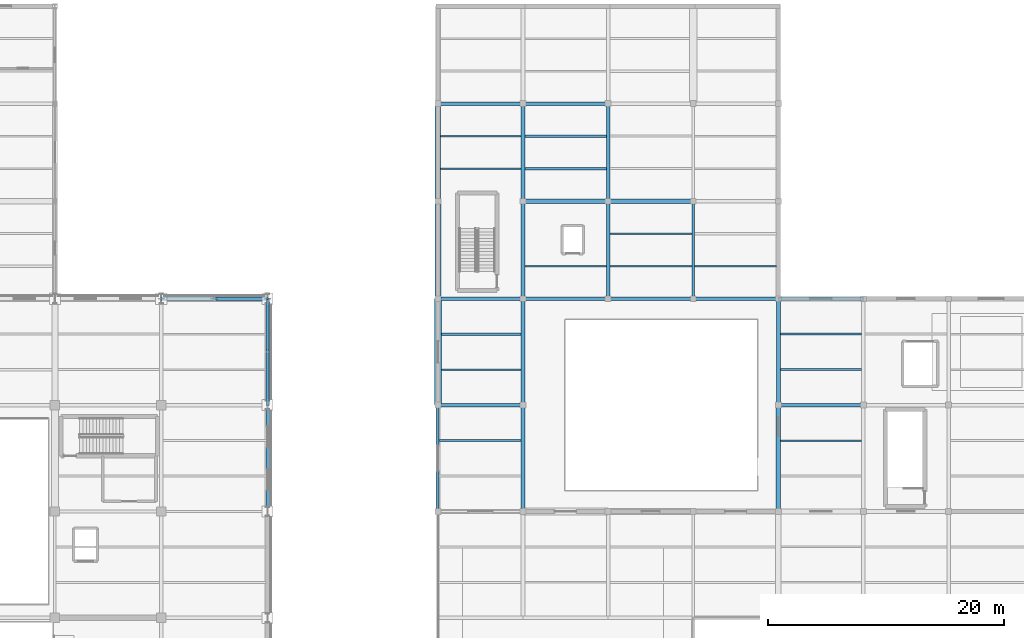
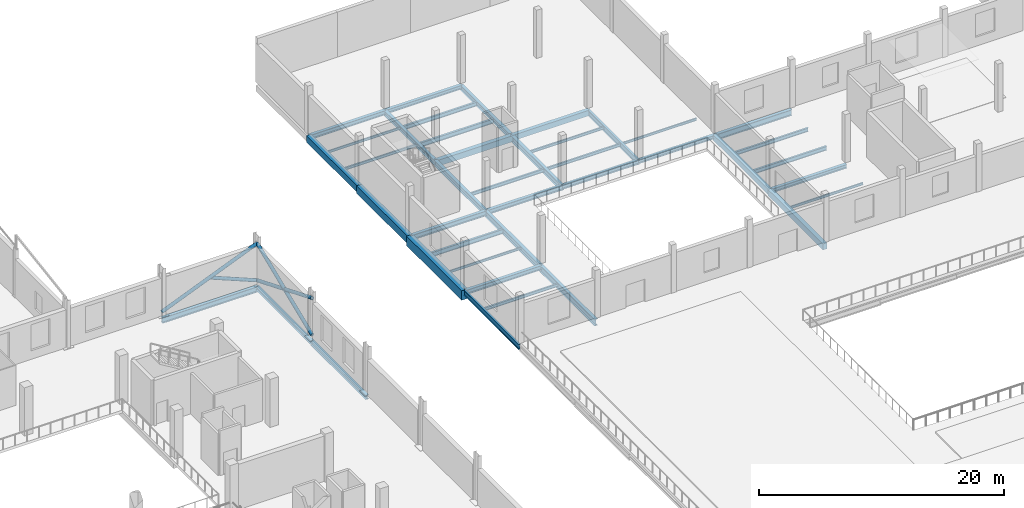
# One storey, part 17 of 54: 41 beams, 5 members.
"""IFC4 building model written with IfcOpenShell, lengths in metres."""

import ifcopenshell
import ifcopenshell.guid

model = None  # the IFC model being written
_history = None  # IfcOwnerHistory: only IFC2X3 demands one
_inside = {}  # id of a spatial element -> (the spatial element, [elements in it])
_under = {}  # id of a project, library or spatial element -> (it, [spatial elements below it])
_declared = {}  # id of a project -> (the project, [libraries it declares])
_typed = {}  # id of a type object -> (the type object, [elements of that type])
_made_of = {}  # id of a material, layer set ... -> (it, [elements and type objects made of it])


def new_model(schema):
    """Start an empty IFC model of exactly this schema.

    Asked for "IFC4X3", IfcOpenShell would pick the latest addendum, in which some entities
    have other attributes; the version numbers below select the first issue.
    IFC2X3 requires an IfcOwnerHistory on every rooted entity: one is made here for all.
    """
    global model, _history
    if schema == "IFC4X3":
        model = ifcopenshell.file(schema_version=(4, 3, 0, 0))
    else:
        model = ifcopenshell.file(schema=schema)
    _inside.clear()
    _under.clear()
    _declared.clear()
    _typed.clear()
    _made_of.clear()
    _history = None
    if model.schema == "IFC2X3":
        org = make("IfcOrganization", Name="unknown")
        user = make(
            "IfcPersonAndOrganization",
            ThePerson=make("IfcPerson", FamilyName="unknown"),
            TheOrganization=org,
        )
        app = make(
            "IfcApplication",
            ApplicationDeveloper=org,
            Version="unknown",
            ApplicationFullName="unknown",
            ApplicationIdentifier="unknown",
        )
        _history = make(
            "IfcOwnerHistory",
            OwningUser=user,
            OwningApplication=app,
            ChangeAction="ADDED",
            CreationDate=0,
        )
    return model


def make(cls, **values):
    """One entity of the class cls with the attributes given. An attribute that is None is left unset."""
    return model.create_entity(
        cls, **{name: value for name, value in values.items() if value is not None}
    )


def rooted(cls, **values):
    """An entity with a GlobalId (a new one), such as an element, a storey or a relation."""
    return make(cls, GlobalId=ifcopenshell.guid.new(), OwnerHistory=_history, **values)


def si_unit(unit_type, name, prefix=None):
    """IfcSIUnit, for example si_unit("LENGTHUNIT", "METRE", prefix="MILLI")."""
    return make("IfcSIUnit", UnitType=unit_type, Prefix=prefix, Name=name)


def assignment(units):
    """IfcUnitAssignment: the units of a project."""
    return None if units is None else make("IfcUnitAssignment", Units=units)


def point(xyz):
    """IfcCartesianPoint."""
    return None if xyz is None else make("IfcCartesianPoint", Coordinates=xyz)


def direction(xyz):
    """IfcDirection."""
    return None if xyz is None else make("IfcDirection", DirectionRatios=xyz)


def frame(location, z_axis=None, x_axis=None):
    """IfcAxis2Placement3D, a coordinate frame: its origin and axes. An axis left out is left unset."""
    return make(
        "IfcAxis2Placement3D",
        Location=point(location),
        Axis=direction(z_axis),
        RefDirection=direction(x_axis),
    )


def frame_2d(location, x_axis=None):
    """IfcAxis2Placement2D, a coordinate frame in the plane: its origin and x axis."""
    return make(
        "IfcAxis2Placement2D", Location=point(location), RefDirection=direction(x_axis)
    )


def origin():
    """The frame at (0, 0, 0) with its axes left unset."""
    return frame((0.0, 0.0, 0.0))


def origin_2d():
    """The frame at (0, 0) in the plane with its x axis left unset."""
    return frame_2d((0.0, 0.0))


def place(relative_to, where):
    """IfcLocalPlacement: puts the frame where relative to a parent placement (None: the world)."""
    return make(
        "IfcLocalPlacement", PlacementRelTo=relative_to, RelativePlacement=where
    )


def context(
    kind, dimensions, precision=None, world=None, true_north=None, identifier=None
):
    """IfcGeometricRepresentationContext, for example the 3D "Model" context."""
    return make(
        "IfcGeometricRepresentationContext",
        ContextIdentifier=identifier,
        ContextType=kind,
        CoordinateSpaceDimension=dimensions,
        Precision=precision,
        WorldCoordinateSystem=world,
        TrueNorth=true_north,
    )


def subcontext(parent, identifier, kind, view, scale=None):
    """IfcGeometricRepresentationSubContext, for example "Body" below "Model"."""
    return make(
        "IfcGeometricRepresentationSubContext",
        ContextIdentifier=identifier,
        ContextType=kind,
        ParentContext=parent,
        TargetScale=scale,
        TargetView=view,
    )


def project(units=None, contexts=None):
    """IfcProject with its units and contexts."""
    return rooted(
        "IfcProject",
        Name="project",
        RepresentationContexts=contexts,
        UnitsInContext=assignment(units),
    )


def spatial(cls, under=None, at=None, **own):
    """A site, building, storey or space (cls), placed at a placement, below another one or the project."""
    s = rooted(cls, ObjectPlacement=at, **own)
    if under is not None:
        _under.setdefault(under.id(), (under, []))[1].append(s)
    return s


def profile(cls, at=None, kind="AREA", **sizes):
    """A parametric profile (cls). Its sizes go by their IFC names, for example OverallWidth=200.0."""
    return make(cls, ProfileType=kind, Position=at, **sizes)


def rectangle(**sizes):
    """IfcRectangleProfileDef."""
    return profile("IfcRectangleProfileDef", **sizes)


def hollow_circle(**sizes):
    """IfcCircleHollowProfileDef."""
    return profile("IfcCircleHollowProfileDef", **sizes)


def i_section(**sizes):
    """IfcIShapeProfileDef."""
    return profile("IfcIShapeProfileDef", **sizes)


def extrude(swept, where, along, depth):
    """IfcExtrudedAreaSolid: the profile swept, set in the frame where, extruded along a direction by depth."""
    return make(
        "IfcExtrudedAreaSolid",
        SweptArea=swept,
        Position=where,
        ExtrudedDirection=direction(along),
        Depth=depth,
    )


def shape(context_of_items, identifier, shape_type, items):
    """IfcShapeRepresentation: the items that make up one representation, for example the "Body"."""
    return make(
        "IfcShapeRepresentation",
        ContextOfItems=context_of_items,
        RepresentationIdentifier=identifier,
        RepresentationType=shape_type,
        Items=items,
    )


def material(Name=None, Category=None):
    """IfcMaterial."""
    return make("IfcMaterial", Name=Name, Category=Category)


def material_profile(
    of_material, cross_section, Name=None, Category=None, Priority=None
):
    """IfcMaterialProfile: a cross section and its material."""
    return make(
        "IfcMaterialProfile",
        Name=Name,
        Material=of_material,
        Profile=cross_section,
        Priority=Priority,
        Category=Category,
    )


def profile_set(profiles, Name=None, composite=None):
    """IfcMaterialProfileSet."""
    return make(
        "IfcMaterialProfileSet",
        Name=Name,
        MaterialProfiles=profiles,
        CompositeProfile=composite,
    )


def made_of(thing, what):
    """Note that an element or type object is made of a material, layer set ...; save() writes the relation."""
    if what is not None:
        _made_of.setdefault(what.id(), (what, []))[1].append(thing)
    return thing


def type_object(cls, material=None, **own):
    """A type object (cls), such as IfcWallType, which elements share."""
    return made_of(rooted(cls, **own), material)


def element(
    cls,
    number,
    at=None,
    inside=None,
    cuts=None,
    type_object=None,
    material=None,
    context=None,
    identifier="Body",
    shape_type=None,
    held_by="IfcProductDefinitionShape",
    body=None,
    shapes=None,
    **own,
):
    """One element of the class cls, such as IfcWall. Its Tag is "e" and its number.

    at: its placement. inside: the storey or other place that contains it. cuts: it is an
    opening in that element (IfcRelVoidsElement). A single representation is given by context,
    identifier, shape_type and body (its items); several are given by shapes. held_by: the class
    of the entity that holds the representations. save() writes the other relations.
    """
    e = rooted(cls, Tag="e%d" % number, ObjectPlacement=at, **own)
    if body is not None:
        shapes = [shape(context, identifier, shape_type, body)]
    if shapes is not None:
        e.Representation = make(held_by, Representations=shapes)
    if inside is not None:
        _inside.setdefault(inside.id(), (inside, []))[1].append(e)
    if cuts is not None:
        rooted(
            "IfcRelVoidsElement", RelatingBuildingElement=cuts, RelatedOpeningElement=e
        )
    if type_object is not None:
        _typed.setdefault(type_object.id(), (type_object, []))[1].append(e)
    return made_of(e, material)


def aggregate(whole, parts):
    """IfcRelAggregates: a whole, such as a stair, and the parts it consists of."""
    return rooted("IfcRelAggregates", RelatingObject=whole, RelatedObjects=parts)


def save(model, path):
    """Write the relations noted so far, then the file.

    IfcRelAggregates (storeys below a building ...), IfcRelContainedInSpatialStructure (elements
    in a storey), IfcRelDefinesByType, IfcRelAssociatesMaterial and IfcRelDeclares: one each for
    every whole, place, type object, material and project.
    """
    for whole, parts in _under.values():
        aggregate(whole, parts)
    for where, things in _inside.values():
        rooted(
            "IfcRelContainedInSpatialStructure",
            RelatedElements=things,
            RelatingStructure=where,
        )
    for kind, things in _typed.values():
        rooted("IfcRelDefinesByType", RelatedObjects=things, RelatingType=kind)
    for what, things in _made_of.values():
        rooted("IfcRelAssociatesMaterial", RelatedObjects=things, RelatingMaterial=what)
    for by, libraries in _declared.values():
        rooted("IfcRelDeclares", RelatingContext=by, RelatedDefinitions=libraries)
    model.write(path)


model = new_model("IFC4")

# Units and contexts
model_context = context("Model", 3, precision=1e-05, world=origin(), true_north=direction((0.0, 1.0)))
body_context = subcontext(model_context, "Body", "Model", "MODEL_VIEW")
ifc_project = project(units=[si_unit("LENGTHUNIT", "METRE"), si_unit("AREAUNIT", "SQUARE_METRE"), si_unit("VOLUMEUNIT", "CUBIC_METRE"), si_unit("PLANEANGLEUNIT", "RADIAN"), si_unit("MASSUNIT", "GRAM", prefix="KILO")], contexts=[model_context])

# Site, building, storey
site_placement = place(None, origin())
site = spatial("IfcSite", under=ifc_project, at=site_placement, CompositionType="ELEMENT")
building_placement = place(site_placement, origin())
building = spatial("IfcBuilding", under=site, at=building_placement, Name="Sundgate Opera House", CompositionType="ELEMENT")
storey_placement = place(building_placement, frame((0.0, 0.0, 16.800048828125)))
storey = spatial("IfcBuildingStorey", under=building, at=storey_placement, Name="L03", CompositionType="ELEMENT", Elevation=16.800048828125)

# Beams
ifc_material_1 = material(Name="Steel S355J2", Category="steel")
ifc_material_profile_1 = material_profile(ifc_material_1, i_section(OverallWidth=0.300048828125, OverallDepth=0.389892578125, WebThickness=0.010986328125, FlangeThickness=0.01904296875, at=origin_2d()), Name="HEA 400")
ifc_profile_set_1 = profile_set([ifc_material_profile_1], Name="Steel S355J2")
beam_type_1 = type_object("IfcBeamType", Name="BM-GR-HEA400", PredefinedType="BEAM", material=ifc_profile_set_1)
beam_1_placement = place(storey_placement, frame((81.0, 78.0, -0.47509765625), z_axis=(0.0, 1.0, 0.0), x_axis=(-1.0, 0.0, 0.0)))
element("IfcBeam", 1, at=beam_1_placement, inside=storey, type_object=beam_type_1, Name="L03 Primary N-S Girder B2510", PredefinedType="BEAM", context=body_context, shape_type="SweptSolid", body=[
    extrude(i_section(OverallWidth=0.300048828125, OverallDepth=0.389892578125, WebThickness=0.010986328125, FlangeThickness=0.01904296875, at=origin_2d()), origin(), (0.0, 0.0, 1.0), 9.0),
])
for number, where, z_axis, x_axis, name in (
    (2, (124.199951171875, 78.0, -0.47509765625), (1.0, 0.0, 0.0), (0.0, 1.0, 0.0), "L03 Primary E-W Girder B2642"),
    (3, (102.60009765625, 103.5, -0.47509765625), (1.0, 0.0, 0.0), (0.0, 1.0, 0.0), "L03 Primary E-W Girder B2686"),
):
    element("IfcBeam", number, at=place(storey_placement, frame(where, z_axis=z_axis, x_axis=x_axis)), inside=storey, type_object=beam_type_1, Name=name, PredefinedType="BEAM", context=body_context, shape_type="SweptSolid", body=[
        extrude(i_section(OverallWidth=0.300048828125, OverallDepth=0.389892578125, WebThickness=0.010986328125, FlangeThickness=0.01904296875, at=origin_2d()), origin(), (0.0, 0.0, 1.0), 7.199951171875),
    ])
ifc_material_2 = material(Name="Steel S355J2", Category="steel")
ifc_material_profile_2 = material_profile(ifc_material_2, i_section(OverallWidth=0.300048828125, OverallDepth=0.43994140625, WebThickness=0.011474609375, FlangeThickness=0.02099609375, at=origin_2d()), Name="HEA 450")
ifc_profile_set_2 = profile_set([ifc_material_profile_2], Name="Steel S355J2")
beam_type_2 = type_object("IfcBeamType", Name="BM-GR-HEA450", PredefinedType="BEAM", material=ifc_profile_set_2)
beam_2_placement = place(storey_placement, frame((81.0, 69.0, -0.5), z_axis=(0.0, 1.0, 0.0), x_axis=(-1.0, 0.0, 0.0)))
element("IfcBeam", 4, at=beam_2_placement, inside=storey, type_object=beam_type_2, Name="L03 Primary N-S Girder B2509", PredefinedType="BEAM", context=body_context, shape_type="SweptSolid", body=[
    extrude(i_section(OverallWidth=0.300048828125, OverallDepth=0.43994140625, WebThickness=0.011474609375, FlangeThickness=0.02099609375, at=origin_2d()), origin(), (0.0, 0.0, 1.0), 9.0),
])
for number, where, z_axis, x_axis, name in (
    (5, (95.39990234375, 78.0, -0.5), (1.0, 0.0, 0.0), (0.0, 1.0, 0.0), "L03 Primary E-W Girder B2641"),
    (6, (95.39990234375, 103.5, -0.5), (1.0, 0.0, 0.0), (0.0, 1.0, 0.0), "L03 Primary E-W Girder B2685"),
):
    element("IfcBeam", number, at=place(storey_placement, frame(where, z_axis=z_axis, x_axis=x_axis)), inside=storey, type_object=beam_type_2, Name=name, PredefinedType="BEAM", context=body_context, shape_type="SweptSolid", body=[
        extrude(i_section(OverallWidth=0.300048828125, OverallDepth=0.43994140625, WebThickness=0.011474609375, FlangeThickness=0.02099609375, at=origin_2d()), origin(), (0.0, 0.0, 1.0), 7.2001953125),
    ])
ifc_material_3 = material(Name="Steel S355J2", Category="steel")
ifc_material_profile_3 = material_profile(ifc_material_3, i_section(OverallWidth=0.300048828125, OverallDepth=0.489990234375, WebThickness=0.011962890625, FlangeThickness=0.02294921875, at=origin_2d()), Name="HEA 500")
ifc_profile_set_3 = profile_set([ifc_material_profile_3], Name="Steel S355J2")
beam_type_3 = type_object("IfcBeamType", Name="BM-GR-HEA500", PredefinedType="BEAM", material=ifc_profile_set_3)
beam_3_placement = place(storey_placement, frame((109.800048828125, 95.25, -0.525146484375), z_axis=(0.0, 1.0, 0.0), x_axis=(-1.0, 0.0, 0.0)))
element("IfcBeam", 7, at=beam_3_placement, inside=storey, type_object=beam_type_3, Name="L03 Primary N-S Girder B2530", PredefinedType="BEAM", context=body_context, shape_type="SweptSolid", body=[
    extrude(i_section(OverallWidth=0.300048828125, OverallDepth=0.489990234375, WebThickness=0.011962890625, FlangeThickness=0.02294921875, at=origin_2d()), origin(), (0.0, 0.0, 1.0), 8.25),
])
ifc_material_4 = material(Name="Steel S355J2", Category="steel")
ifc_material_profile_4 = material_profile(ifc_material_4, i_section(OverallWidth=0.300048828125, OverallDepth=0.590087890625, WebThickness=0.012939453125, FlangeThickness=0.02490234375, at=origin_2d()), Name="HEA 600")
ifc_profile_set_4 = profile_set([ifc_material_profile_4], Name="Steel S355J2")
beam_type_4 = type_object("IfcBeamType", Name="BM-GR-HEA600", PredefinedType="BEAM", material=ifc_profile_set_4)
beam_4_placement = place(storey_placement, frame((109.800048828125, 87.0, -0.574951171875), z_axis=(0.0, 1.0, 0.0), x_axis=(-1.0, 0.0, 0.0)))
element("IfcBeam", 8, at=beam_4_placement, inside=storey, type_object=beam_type_4, Name="L03 Primary N-S Girder B2529", PredefinedType="BEAM", context=body_context, shape_type="SweptSolid", body=[
    extrude(i_section(OverallWidth=0.300048828125, OverallDepth=0.590087890625, WebThickness=0.012939453125, FlangeThickness=0.02490234375, at=origin_2d()), origin(), (0.0, 0.0, 1.0), 8.25),
])
beam_5_placement = place(storey_placement, frame((124.199951171875, 87.0, -0.574951171875), z_axis=(1.0, 0.0, 0.0), x_axis=(0.0, 1.0, 0.0)))
element("IfcBeam", 9, at=beam_5_placement, inside=storey, type_object=beam_type_4, Name="L03 Primary E-W Girder B2661", PredefinedType="BEAM", context=body_context, shape_type="SweptSolid", body=[
    extrude(i_section(OverallWidth=0.300048828125, OverallDepth=0.590087890625, WebThickness=0.012939453125, FlangeThickness=0.02490234375, at=origin_2d()), origin(), (0.0, 0.0, 1.0), 7.199951171875),
])
ifc_material_5 = material(Name="Steel S355J2", Category="steel")
ifc_material_profile_5 = material_profile(ifc_material_5, i_section(OverallWidth=0.300048828125, OverallDepth=0.360107421875, WebThickness=0.012451171875, FlangeThickness=0.0224609375, at=origin_2d()), Name="HEB 360")
ifc_profile_set_5 = profile_set([ifc_material_profile_5], Name="Steel S355J2")
beam_type_5 = type_object("IfcBeamType", Name="BM-GR-HEB360", PredefinedType="BEAM", material=ifc_profile_set_5)
beam_6_placement = place(storey_placement, frame((117.0, 87.0, -0.4599609375), z_axis=(1.0, 0.0, 0.0), x_axis=(0.0, 1.0, 0.0)))
element("IfcBeam", 10, at=beam_6_placement, inside=storey, type_object=beam_type_5, Name="L03 Primary E-W Girder B2660", PredefinedType="BEAM", context=body_context, shape_type="SweptSolid", body=[
    extrude(i_section(OverallWidth=0.300048828125, OverallDepth=0.360107421875, WebThickness=0.012451171875, FlangeThickness=0.0224609375, at=origin_2d()), origin(), (0.0, 0.0, 1.0), 7.199951171875),
])
ifc_material_6 = material(Name="Steel S355J2", Category="steel")
ifc_material_profile_6 = material_profile(ifc_material_6, i_section(OverallWidth=0.300048828125, OverallDepth=0.39990234375, WebThickness=0.013427734375, FlangeThickness=0.02392578125, at=origin_2d()), Name="HEB 400")
ifc_profile_set_6 = profile_set([ifc_material_profile_6], Name="Steel S355J2")
beam_type_6 = type_object("IfcBeamType", Name="BM-GR-HEB400", PredefinedType="BEAM", material=ifc_profile_set_6)
beam_7_placement = place(storey_placement, frame((109.800048828125, 87.0, -0.47998046875), z_axis=(1.0, 0.0, 0.0), x_axis=(0.0, 1.0, 0.0)))
element("IfcBeam", 11, at=beam_7_placement, inside=storey, type_object=beam_type_6, Name="L03 Primary E-W Girder B2659", PredefinedType="BEAM", context=body_context, shape_type="SweptSolid", body=[
    extrude(i_section(OverallWidth=0.300048828125, OverallDepth=0.39990234375, WebThickness=0.013427734375, FlangeThickness=0.02392578125, at=origin_2d()), origin(), (0.0, 0.0, 1.0), 7.199951171875),
])
ifc_material_7 = material(Name="Steel S355J2", Category="steel")
ifc_material_profile_7 = material_profile(ifc_material_7, i_section(OverallWidth=0.300048828125, OverallDepth=0.449951171875, WebThickness=0.013916015625, FlangeThickness=0.02587890625, at=origin_2d()), Name="HEB 450")
ifc_profile_set_7 = profile_set([ifc_material_profile_7], Name="Steel S355J2")
beam_type_7 = type_object("IfcBeamType", Name="BM-GR-HEB450", PredefinedType="BEAM", material=ifc_profile_set_7)
beam_8_placement = place(storey_placement, frame((102.60009765625, 87.0, -0.505126953125), z_axis=(1.0, 0.0, 0.0), x_axis=(0.0, 1.0, 0.0)))
element("IfcBeam", 12, at=beam_8_placement, inside=storey, type_object=beam_type_7, Name="L03 Primary E-W Girder B2658", PredefinedType="BEAM", context=body_context, shape_type="SweptSolid", body=[
    extrude(i_section(OverallWidth=0.300048828125, OverallDepth=0.449951171875, WebThickness=0.013916015625, FlangeThickness=0.02587890625, at=origin_2d()), origin(), (0.0, 0.0, 1.0), 7.199951171875),
])
ifc_material_8 = material(Name="Steel S355J2", Category="steel")
ifc_material_profile_8 = material_profile(ifc_material_8, i_section(OverallWidth=0.300048828125, OverallDepth=0.5, WebThickness=0.014404296875, FlangeThickness=0.028076171875, at=origin_2d()), Name="HEB 500")
ifc_profile_set_8 = profile_set([ifc_material_profile_8], Name="Steel S355J2")
beam_type_8 = type_object("IfcBeamType", Name="BM-GR-HEB500", PredefinedType="BEAM", material=ifc_profile_set_8)
beam_9_placement = place(storey_placement, frame((102.60009765625, 95.25, -0.530029296875), z_axis=(0.0, 1.0, 0.0), x_axis=(-1.0, 0.0, 0.0)))
element("IfcBeam", 13, at=beam_9_placement, inside=storey, type_object=beam_type_8, Name="L03 Primary N-S Girder B2525", PredefinedType="BEAM", context=body_context, shape_type="SweptSolid", body=[
    extrude(i_section(OverallWidth=0.300048828125, OverallDepth=0.5, WebThickness=0.014404296875, FlangeThickness=0.028076171875, at=origin_2d()), origin(), (0.0, 0.0, 1.0), 8.25),
])
beam_10_placement = place(storey_placement, frame((95.39990234375, 87.0, -0.530029296875), z_axis=(1.0, 0.0, 0.0), x_axis=(0.0, 1.0, 0.0)))
element("IfcBeam", 14, at=beam_10_placement, inside=storey, type_object=beam_type_8, Name="L03 Primary E-W Girder B2657", PredefinedType="BEAM", context=body_context, shape_type="SweptSolid", body=[
    extrude(i_section(OverallWidth=0.300048828125, OverallDepth=0.5, WebThickness=0.014404296875, FlangeThickness=0.028076171875, at=origin_2d()), origin(), (0.0, 0.0, 1.0), 7.2001953125),
])
ifc_material_9 = material(Name="Steel S355J2", Category="steel")
ifc_material_profile_9 = material_profile(ifc_material_9, i_section(OverallWidth=0.300048828125, OverallDepth=0.550048828125, WebThickness=0.014892578125, FlangeThickness=0.029052734375, at=origin_2d()), Name="HEB 550")
ifc_profile_set_9 = profile_set([ifc_material_profile_9], Name="Steel S355J2")
beam_type_9 = type_object("IfcBeamType", Name="BM-GR-HEB550", PredefinedType="BEAM", material=ifc_profile_set_9)
beam_11_placement = place(storey_placement, frame((102.60009765625, 87.0, -0.554931640625), z_axis=(0.0, 1.0, 0.0), x_axis=(-1.0, 0.0, 0.0)))
element("IfcBeam", 15, at=beam_11_placement, inside=storey, type_object=beam_type_9, Name="L03 Primary N-S Girder B2524", PredefinedType="BEAM", context=body_context, shape_type="SweptSolid", body=[
    extrude(i_section(OverallWidth=0.300048828125, OverallDepth=0.550048828125, WebThickness=0.014892578125, FlangeThickness=0.029052734375, at=origin_2d()), origin(), (0.0, 0.0, 1.0), 8.25),
])
beam_12_placement = place(storey_placement, frame((72.0, 87.0, -0.554931640625), z_axis=(1.0, 0.0, 0.0), x_axis=(0.0, 1.0, 0.0)))
element("IfcBeam", 16, at=beam_12_placement, inside=storey, type_object=beam_type_9, Name="L03 Primary E-W Girder B2656", PredefinedType="BEAM", context=body_context, shape_type="SweptSolid", body=[
    extrude(i_section(OverallWidth=0.300048828125, OverallDepth=0.550048828125, WebThickness=0.014892578125, FlangeThickness=0.029052734375, at=origin_2d()), origin(), (0.0, 0.0, 1.0), 9.0),
])
ifc_material_10 = material(Name="Steel S355J2", Category="steel")
ifc_material_profile_10 = material_profile(ifc_material_10, i_section(OverallWidth=0.300048828125, OverallDepth=0.60009765625, WebThickness=0.015380859375, FlangeThickness=0.030029296875, at=origin_2d()), Name="HEB 600")
ifc_profile_set_10 = profile_set([ifc_material_profile_10], Name="Steel S355J2")
beam_type_10 = type_object("IfcBeamType", Name="BM-GR-HEB600", PredefinedType="BEAM", material=ifc_profile_set_10)
beam_13_placement = place(storey_placement, frame((102.60009765625, 78.0, -0.580078125), z_axis=(0.0, 1.0, 0.0), x_axis=(-1.0, 0.0, 0.0)))
element("IfcBeam", 17, at=beam_13_placement, inside=storey, type_object=beam_type_10, Name="L03 Primary N-S Girder B2523", PredefinedType="BEAM", context=body_context, shape_type="SweptSolid", body=[
    extrude(i_section(OverallWidth=0.300048828125, OverallDepth=0.60009765625, WebThickness=0.015380859375, FlangeThickness=0.030029296875, at=origin_2d()), origin(), (0.0, 0.0, 1.0), 9.0),
])
ifc_material_11 = material(Name="Steel S355J2", Category="steel")
ifc_material_profile_11 = material_profile(ifc_material_11, i_section(OverallWidth=0.300048828125, OverallDepth=0.64990234375, WebThickness=0.01611328125, FlangeThickness=0.031005859375, at=origin_2d()), Name="HEB 650")
ifc_profile_set_11 = profile_set([ifc_material_profile_11], Name="Steel S355J2")
beam_type_11 = type_object("IfcBeamType", Name="BM-GR-HEB650", PredefinedType="BEAM", material=ifc_profile_set_11)
beam_14_placement = place(storey_placement, frame((102.60009765625, 69.0, -0.60498046875), z_axis=(0.0, 1.0, 0.0), x_axis=(-1.0, 0.0, 0.0)))
element("IfcBeam", 18, at=beam_14_placement, inside=storey, type_object=beam_type_11, Name="L03 Primary N-S Girder B2522", PredefinedType="BEAM", context=body_context, shape_type="SweptSolid", body=[
    extrude(i_section(OverallWidth=0.300048828125, OverallDepth=0.64990234375, WebThickness=0.01611328125, FlangeThickness=0.031005859375, at=origin_2d()), origin(), (0.0, 0.0, 1.0), 9.0),
])
ifc_material_12 = material(Name="Steel S355J2", Category="steel")
ifc_material_profile_12 = material_profile(ifc_material_12, i_section(OverallWidth=0.199951171875, OverallDepth=0.5, WebThickness=0.01025390625, FlangeThickness=0.01611328125, at=origin_2d()), Name="IPE 500")
ifc_profile_set_12 = profile_set([ifc_material_profile_12], Name="Steel S355J2")
beam_type_12 = type_object("IfcBeamType", Name="BM-GR-IPE500", PredefinedType="BEAM", material=ifc_profile_set_12)
beam_15_placement = place(storey_placement, frame((95.39990234375, 69.0, -0.530029296875), z_axis=(0.0, 1.0, 0.0), x_axis=(-1.0, 0.0, 0.0)))
element("IfcBeam", 19, at=beam_15_placement, inside=storey, type_object=beam_type_12, Name="L03 Primary N-S Girder B2515", PredefinedType="BEAM", context=body_context, shape_type="SweptSolid", body=[
    extrude(i_section(OverallWidth=0.199951171875, OverallDepth=0.5, WebThickness=0.01025390625, FlangeThickness=0.01611328125, at=origin_2d()), origin(), (0.0, 0.0, 1.0), 9.0),
])
ifc_material_13 = material(Name="Steel S355J2", Category="steel")
ifc_material_profile_13 = material_profile(ifc_material_13, i_section(OverallWidth=0.2099609375, OverallDepth=0.550048828125, WebThickness=0.010986328125, FlangeThickness=0.01708984375, at=origin_2d()), Name="IPE 550")
ifc_profile_set_13 = profile_set([ifc_material_profile_13], Name="Steel S355J2")
beam_type_13 = type_object("IfcBeamType", Name="BM-GR-IPE550", PredefinedType="BEAM", material=ifc_profile_set_13)
beam_16_placement = place(storey_placement, frame((117.0, 87.0, -0.554931640625), z_axis=(0.0, 1.0, 0.0), x_axis=(-1.0, 0.0, 0.0)))
element("IfcBeam", 20, at=beam_16_placement, inside=storey, type_object=beam_type_13, Name="L03 Primary N-S Girder B2536", PredefinedType="BEAM", context=body_context, shape_type="SweptSolid", body=[
    extrude(i_section(OverallWidth=0.2099609375, OverallDepth=0.550048828125, WebThickness=0.010986328125, FlangeThickness=0.01708984375, at=origin_2d()), origin(), (0.0, 0.0, 1.0), 8.25),
])
ifc_material_14 = material(Name="Steel S355J2", Category="steel")
ifc_material_profile_14 = material_profile(ifc_material_14, i_section(OverallWidth=0.1201171875, OverallDepth=0.239990234375, WebThickness=0.006103515625, FlangeThickness=0.009765625, at=origin_2d()), Name="IPE 240")
ifc_profile_set_14 = profile_set([ifc_material_profile_14], Name="Steel S355J2")
beam_type_14 = type_object("IfcBeamType", Name="BM-JS-IPE240", PredefinedType="JOIST", material=ifc_profile_set_14)
beam_17_placement = place(storey_placement, frame((124.39990234375, 75.0, -0.400146484375), z_axis=(1.0, 0.0, 0.0), x_axis=(0.0, 1.0, 0.0)))
element("IfcBeam", 21, at=beam_17_placement, inside=storey, type_object=beam_type_14, Name="L03 Secondary Floor Joist B2775", PredefinedType="JOIST", context=body_context, shape_type="SweptSolid", body=[
    extrude(i_section(OverallWidth=0.1201171875, OverallDepth=0.239990234375, WebThickness=0.006103515625, FlangeThickness=0.009765625, at=origin_2d()), origin(), (0.0, 0.0, 1.0), 6.85009765625),
])
beam_18_placement = place(storey_placement, frame((95.699951171875, 81.0, -0.400146484375), z_axis=(1.0, 0.0, 0.0), x_axis=(0.0, 1.0, 0.0)))
element("IfcBeam", 22, at=beam_18_placement, inside=storey, type_object=beam_type_14, Name="L03 Secondary Floor Joist B2796", PredefinedType="JOIST", context=body_context, shape_type="SweptSolid", body=[
    extrude(i_section(OverallWidth=0.1201171875, OverallDepth=0.239990234375, WebThickness=0.006103515625, FlangeThickness=0.009765625, at=origin_2d()), origin(), (0.0, 0.0, 1.0), 6.75),
])
beam_19_placement = place(storey_placement, frame((117.10498046875, 89.75, -0.400146484375), z_axis=(1.0, 0.0, 0.0), x_axis=(0.0, 1.0, 0.0)))
element("IfcBeam", 23, at=beam_19_placement, inside=storey, type_object=beam_type_14, Name="L03 Secondary Floor Joist B2824", PredefinedType="JOIST", context=body_context, shape_type="SweptSolid", body=[
    extrude(i_section(OverallWidth=0.1201171875, OverallDepth=0.239990234375, WebThickness=0.006103515625, FlangeThickness=0.009765625, at=origin_2d()), origin(), (0.0, 0.0, 1.0), 6.945068359375),
])
beam_20_placement = place(storey_placement, frame((95.625, 100.75, -0.400146484375), z_axis=(1.0, 0.0, 0.0), x_axis=(0.0, 1.0, 0.0)))
element("IfcBeam", 24, at=beam_20_placement, inside=storey, type_object=beam_type_14, Name="L03 Secondary Floor Joist B2845", PredefinedType="JOIST", context=body_context, shape_type="SweptSolid", body=[
    extrude(i_section(OverallWidth=0.1201171875, OverallDepth=0.239990234375, WebThickness=0.006103515625, FlangeThickness=0.009765625, at=origin_2d()), origin(), (0.0, 0.0, 1.0), 6.824951171875),
])
ifc_material_15 = material(Name="Steel S355J2", Category="steel")
ifc_material_profile_15 = material_profile(ifc_material_15, i_section(OverallWidth=0.135009765625, OverallDepth=0.27001953125, WebThickness=0.006591796875, FlangeThickness=0.01025390625, at=origin_2d()), Name="IPE 270")
ifc_profile_set_15 = profile_set([ifc_material_profile_15], Name="Steel S355J2")
beam_type_15 = type_object("IfcBeamType", Name="BM-JS-IPE270", PredefinedType="JOIST", material=ifc_profile_set_15)
beam_21_placement = place(storey_placement, frame((109.949951171875, 92.5, -0.4150390625), z_axis=(1.0, 0.0, 0.0), x_axis=(0.0, 1.0, 0.0)))
element("IfcBeam", 25, at=beam_21_placement, inside=storey, type_object=beam_type_15, Name="L03 Secondary Floor Joist B2823", PredefinedType="JOIST", context=body_context, shape_type="SweptSolid", body=[
    extrude(i_section(OverallWidth=0.135009765625, OverallDepth=0.27001953125, WebThickness=0.006591796875, FlangeThickness=0.01025390625, at=origin_2d()), origin(), (0.0, 0.0, 1.0), 6.945068359375),
])
beam_22_placement = place(storey_placement, frame((95.625, 98.0, -0.4150390625), z_axis=(1.0, 0.0, 0.0), x_axis=(0.0, 1.0, 0.0)))
element("IfcBeam", 26, at=beam_22_placement, inside=storey, type_object=beam_type_15, Name="L03 Secondary Floor Joist B2844", PredefinedType="JOIST", context=body_context, shape_type="SweptSolid", body=[
    extrude(i_section(OverallWidth=0.135009765625, OverallDepth=0.27001953125, WebThickness=0.006591796875, FlangeThickness=0.01025390625, at=origin_2d()), origin(), (0.0, 0.0, 1.0), 6.824951171875),
])
ifc_material_16 = material(Name="Steel S355J2", Category="steel")
ifc_material_profile_16 = material_profile(ifc_material_16, i_section(OverallWidth=0.14990234375, OverallDepth=0.300048828125, WebThickness=0.007080078125, FlangeThickness=0.0107421875, at=origin_2d()), Name="IPE 300")
ifc_profile_set_16 = profile_set([ifc_material_profile_16], Name="Steel S355J2")
beam_type_16 = type_object("IfcBeamType", Name="BM-JS-IPE300", PredefinedType="JOIST", material=ifc_profile_set_16)
beam_23_placement = place(storey_placement, frame((95.5, 75.0, -0.429931640625), z_axis=(1.0, 0.0, 0.0), x_axis=(0.0, 1.0, 0.0)))
element("IfcBeam", 27, at=beam_23_placement, inside=storey, type_object=beam_type_16, Name="L03 Secondary Floor Joist B2773", PredefinedType="JOIST", context=body_context, shape_type="SweptSolid", body=[
    extrude(i_section(OverallWidth=0.14990234375, OverallDepth=0.300048828125, WebThickness=0.007080078125, FlangeThickness=0.0107421875, at=origin_2d()), origin(), (0.0, 0.0, 1.0), 6.949951171875),
])
beam_24_placement = place(storey_placement, frame((109.949951171875, 89.75, -0.429931640625), z_axis=(1.0, 0.0, 0.0), x_axis=(0.0, 1.0, 0.0)))
element("IfcBeam", 28, at=beam_24_placement, inside=storey, type_object=beam_type_16, Name="L03 Secondary Floor Joist B2822", PredefinedType="JOIST", context=body_context, shape_type="SweptSolid", body=[
    extrude(i_section(OverallWidth=0.14990234375, OverallDepth=0.300048828125, WebThickness=0.007080078125, FlangeThickness=0.0107421875, at=origin_2d()), origin(), (0.0, 0.0, 1.0), 6.945068359375),
])
ifc_material_17 = material(Name="Steel S355J2", Category="steel")
ifc_material_profile_17 = material_profile(ifc_material_17, i_section(OverallWidth=0.159912109375, OverallDepth=0.330078125, WebThickness=0.007568359375, FlangeThickness=0.011474609375, at=origin_2d()), Name="IPE 330")
ifc_profile_set_17 = profile_set([ifc_material_profile_17], Name="Steel S355J2")
beam_type_17 = type_object("IfcBeamType", Name="BM-JS-IPE330", PredefinedType="JOIST", material=ifc_profile_set_17)
beam_25_placement = place(storey_placement, frame((102.75, 89.75, -0.445068359375), z_axis=(1.0, 0.0, 0.0), x_axis=(0.0, 1.0, 0.0)))
element("IfcBeam", 29, at=beam_25_placement, inside=storey, type_object=beam_type_17, Name="L03 Secondary Floor Joist B2821", PredefinedType="JOIST", context=body_context, shape_type="SweptSolid", body=[
    extrude(i_section(OverallWidth=0.159912109375, OverallDepth=0.330078125, WebThickness=0.007568359375, FlangeThickness=0.011474609375, at=origin_2d()), origin(), (0.0, 0.0, 1.0), 6.89990234375),
])
ifc_material_18 = material(Name="Steel S355J2", Category="steel")
ifc_material_profile_18 = material_profile(ifc_material_18, i_section(OverallWidth=0.169921875, OverallDepth=0.360107421875, WebThickness=0.008056640625, FlangeThickness=0.0126953125, at=origin_2d()), Name="IPE 360")
ifc_profile_set_18 = profile_set([ifc_material_profile_18], Name="Steel S355J2")
beam_type_18 = type_object("IfcBeamType", Name="BM-JS-IPE360", PredefinedType="JOIST", material=ifc_profile_set_18)
beam_26_placement = place(storey_placement, frame((124.375, 84.0, -0.4599609375), z_axis=(1.0, 0.0, 0.0), x_axis=(0.0, 1.0, 0.0)))
element("IfcBeam", 30, at=beam_26_placement, inside=storey, type_object=beam_type_18, Name="L03 Secondary Floor Joist B2799", PredefinedType="JOIST", context=body_context, shape_type="SweptSolid", body=[
    extrude(i_section(OverallWidth=0.169921875, OverallDepth=0.360107421875, WebThickness=0.008056640625, FlangeThickness=0.0126953125, at=origin_2d()), origin(), (0.0, 0.0, 1.0), 6.875),
])
ifc_material_19 = material(Name="Steel S355J2", Category="steel")
ifc_material_profile_19 = material_profile(ifc_material_19, i_section(OverallWidth=0.179931640625, OverallDepth=0.39990234375, WebThickness=0.008544921875, FlangeThickness=0.013427734375, at=origin_2d()), Name="IPE 400")
ifc_profile_set_19 = profile_set([ifc_material_profile_19], Name="Steel S355J2")
beam_type_19 = type_object("IfcBeamType", Name="BM-JS-IPE400", PredefinedType="JOIST", material=ifc_profile_set_19)
beam_27_placement = place(storey_placement, frame((124.375, 81.0, -0.47998046875), z_axis=(1.0, 0.0, 0.0), x_axis=(0.0, 1.0, 0.0)))
element("IfcBeam", 31, at=beam_27_placement, inside=storey, type_object=beam_type_19, Name="L03 Secondary Floor Joist B2798", PredefinedType="JOIST", context=body_context, shape_type="SweptSolid", body=[
    extrude(i_section(OverallWidth=0.179931640625, OverallDepth=0.39990234375, WebThickness=0.008544921875, FlangeThickness=0.013427734375, at=origin_2d()), origin(), (0.0, 0.0, 1.0), 6.875),
])
beam_28_placement = place(storey_placement, frame((102.75, 100.75, -0.47998046875), z_axis=(1.0, 0.0, 0.0), x_axis=(0.0, 1.0, 0.0)))
element("IfcBeam", 32, at=beam_28_placement, inside=storey, type_object=beam_type_19, Name="L03 Secondary Floor Joist B2847", PredefinedType="JOIST", context=body_context, shape_type="SweptSolid", body=[
    extrude(i_section(OverallWidth=0.179931640625, OverallDepth=0.39990234375, WebThickness=0.008544921875, FlangeThickness=0.013427734375, at=origin_2d()), origin(), (0.0, 0.0, 1.0), 6.89990234375),
])
ifc_material_20 = material(Name="Steel S355J2", Category="steel")
ifc_material_profile_20 = material_profile(ifc_material_20, i_section(OverallWidth=0.18994140625, OverallDepth=0.449951171875, WebThickness=0.009521484375, FlangeThickness=0.0146484375, at=origin_2d()), Name="IPE 450")
ifc_profile_set_20 = profile_set([ifc_material_profile_20], Name="Steel S355J2")
beam_type_20 = type_object("IfcBeamType", Name="BM-JS-IPE450", PredefinedType="JOIST", material=ifc_profile_set_20)
beam_29_placement = place(storey_placement, frame((95.699951171875, 84.0, -0.505126953125), z_axis=(1.0, 0.0, 0.0), x_axis=(0.0, 1.0, 0.0)))
element("IfcBeam", 33, at=beam_29_placement, inside=storey, type_object=beam_type_20, Name="L03 Secondary Floor Joist B2797", PredefinedType="JOIST", context=body_context, shape_type="SweptSolid", body=[
    extrude(i_section(OverallWidth=0.18994140625, OverallDepth=0.449951171875, WebThickness=0.009521484375, FlangeThickness=0.0146484375, at=origin_2d()), origin(), (0.0, 0.0, 1.0), 6.75),
])
beam_30_placement = place(storey_placement, frame((102.75, 98.0, -0.505126953125), z_axis=(1.0, 0.0, 0.0), x_axis=(0.0, 1.0, 0.0)))
element("IfcBeam", 34, at=beam_30_placement, inside=storey, type_object=beam_type_20, Name="L03 Secondary Floor Joist B2846", PredefinedType="JOIST", context=body_context, shape_type="SweptSolid", body=[
    extrude(i_section(OverallWidth=0.18994140625, OverallDepth=0.449951171875, WebThickness=0.009521484375, FlangeThickness=0.0146484375, at=origin_2d()), origin(), (0.0, 0.0, 1.0), 6.89990234375),
])
ifc_material_21 = material(Name="Concrete C35/45", Category="concrete")
ifc_material_profile_21 = material_profile(ifc_material_21, rectangle(XDim=0.35009765625, YDim=0.550048828125, at=origin_2d()), Name="RC 350x550")
ifc_profile_set_21 = profile_set([ifc_material_profile_21], Name="Concrete C35/45")
beam_type_21 = type_object("IfcBeamType", Name="BM-RC-350x550", PredefinedType="BEAM", material=ifc_profile_set_21)
beam_31_placement = place(storey_placement, frame((124.199951171875, 78.0, -0.554931640625), z_axis=(0.0, 1.0, 0.0), x_axis=(-1.0, 0.0, 0.0)))
element("IfcBeam", 35, at=beam_31_placement, inside=storey, type_object=beam_type_21, Name="L03 Primary N-S Girder B2542", PredefinedType="BEAM", context=body_context, shape_type="SweptSolid", body=[
    extrude(rectangle(XDim=0.35009765625, YDim=0.550048828125, at=origin_2d()), origin(), (0.0, 0.0, 1.0), 9.0),
])
beam_32_placement = place(storey_placement, frame((109.800048828125, 95.25, -0.554931640625), z_axis=(1.0, 0.0, 0.0), x_axis=(0.0, 1.0, 0.0)))
element("IfcBeam", 36, at=beam_32_placement, inside=storey, type_object=beam_type_21, Name="L03 Primary E-W Girder B2674", PredefinedType="BEAM", context=body_context, shape_type="SweptSolid", body=[
    extrude(rectangle(XDim=0.35009765625, YDim=0.550048828125, at=origin_2d()), origin(), (0.0, 0.0, 1.0), 7.199951171875),
])
ifc_material_22 = material(Name="Concrete C35/45", Category="concrete")
ifc_material_profile_22 = material_profile(ifc_material_22, rectangle(XDim=0.39990234375, YDim=0.60009765625, at=origin_2d()), Name="RC 400x600")
ifc_profile_set_22 = profile_set([ifc_material_profile_22], Name="Concrete C35/45")
beam_type_22 = type_object("IfcBeamType", Name="BM-RC-400x600", PredefinedType="BEAM", material=ifc_profile_set_22)
beam_33_placement = place(storey_placement, frame((124.199951171875, 69.0, -0.580078125), z_axis=(0.0, 1.0, 0.0), x_axis=(-1.0, 0.0, 0.0)))
element("IfcBeam", 37, at=beam_33_placement, inside=storey, type_object=beam_type_22, Name="L03 Primary N-S Girder B2541", PredefinedType="BEAM", context=body_context, shape_type="SweptSolid", body=[
    extrude(rectangle(XDim=0.39990234375, YDim=0.60009765625, at=origin_2d()), origin(), (0.0, 0.0, 1.0), 9.0),
])
beam_34_placement = place(storey_placement, frame((102.60009765625, 95.25, -0.580078125), z_axis=(1.0, 0.0, 0.0), x_axis=(0.0, 1.0, 0.0)))
element("IfcBeam", 38, at=beam_34_placement, inside=storey, type_object=beam_type_22, Name="L03 Primary E-W Girder B2673", PredefinedType="BEAM", context=body_context, shape_type="SweptSolid", body=[
    extrude(rectangle(XDim=0.39990234375, YDim=0.60009765625, at=origin_2d()), origin(), (0.0, 0.0, 1.0), 7.199951171875),
])
ifc_material_23 = material(Name="Concrete C35/45", Category="concrete")
ifc_material_profile_23 = material_profile(ifc_material_23, rectangle(XDim=0.449951171875, YDim=0.64990234375, at=origin_2d()), Name="RC 450x650")
ifc_profile_set_23 = profile_set([ifc_material_profile_23], Name="Concrete C35/45")
beam_type_23 = type_object("IfcBeamType", Name="BM-RC-450x650", PredefinedType="BEAM", material=ifc_profile_set_23)
beam_35_placement = place(storey_placement, frame((95.39990234375, 95.25, -0.60498046875), z_axis=(0.0, 1.0, 0.0), x_axis=(-1.0, 0.0, 0.0)))
element("IfcBeam", 39, at=beam_35_placement, inside=storey, type_object=beam_type_23, Name="L03 Primary N-S Girder B2518", PredefinedType="BEAM", context=body_context, shape_type="SweptSolid", body=[
    extrude(rectangle(XDim=0.449951171875, YDim=0.64990234375, at=origin_2d()), origin(), (0.0, 0.0, 1.0), 8.25),
])
ifc_material_24 = material(Name="Concrete C40/50", Category="concrete")
ifc_material_profile_24 = material_profile(ifc_material_24, rectangle(XDim=0.5, YDim=0.75, at=origin_2d()), Name="RC 500x750")
ifc_profile_set_24 = profile_set([ifc_material_profile_24], Name="Concrete C40/50")
beam_type_24 = type_object("IfcBeamType", Name="BM-RC-500x750", PredefinedType="BEAM", material=ifc_profile_set_24)
beam_36_placement = place(storey_placement, frame((95.39990234375, 87.0, -0.655029296875), z_axis=(0.0, 1.0, 0.0), x_axis=(-1.0, 0.0, 0.0)))
element("IfcBeam", 40, at=beam_36_placement, inside=storey, type_object=beam_type_24, Name="L03 Primary N-S Girder B2517", PredefinedType="BEAM", context=body_context, shape_type="SweptSolid", body=[
    extrude(rectangle(XDim=0.5, YDim=0.75, at=origin_2d()), origin(), (0.0, 0.0, 1.0), 8.25),
])
ifc_material_25 = material(Name="Concrete C40/50", Category="concrete")
ifc_material_profile_25 = material_profile(ifc_material_25, rectangle(XDim=0.60009765625, YDim=0.949951171875, at=origin_2d()), Name="RC 600x950")
ifc_profile_set_25 = profile_set([ifc_material_profile_25], Name="Concrete C40/50")
beam_type_25 = type_object("IfcBeamType", Name="BM-RC-600x950", PredefinedType="BEAM", material=ifc_profile_set_25)
beam_37_placement = place(storey_placement, frame((95.39990234375, 78.0, -0.755126953125), z_axis=(0.0, 1.0, 0.0), x_axis=(-1.0, 0.0, 0.0)))
element("IfcBeam", 41, at=beam_37_placement, inside=storey, type_object=beam_type_25, Name="L03 Primary N-S Girder B2516", PredefinedType="BEAM", context=body_context, shape_type="SweptSolid", body=[
    extrude(rectangle(XDim=0.60009765625, YDim=0.949951171875, at=origin_2d()), origin(), (0.0, 0.0, 1.0), 9.0),
])

# Members
ifc_material_26 = material(Name="Steel S355J2", Category="steel")
ifc_material_profile_26 = material_profile(ifc_material_26, hollow_circle(Radius=0.161865234375, WallThickness=0.01611328125, at=origin_2d()), Name="CHS 323.9x16.0")
ifc_profile_set_26 = profile_set([ifc_material_profile_26], Name="Steel S355J2")
member_type = type_object("IfcMemberType", Name="MB-BRC-CHS324", PredefinedType="BRACE", material=ifc_profile_set_26)
member_1_placement = place(storey_placement, frame((72.0, 87.0, 0.25), z_axis=(0.924892546912, 0.0, 0.380228584756), x_axis=(0.0, 1.0, 0.0)))
element("IfcMember", 42, at=member_1_placement, inside=storey, type_object=member_type, Name="L03 Belt-Truss Continuous Diagonal M0023", PredefinedType="BRACE", context=body_context, shape_type="SweptSolid", body=[
    extrude(hollow_circle(Radius=0.161865234375, WallThickness=0.01611328125, at=origin_2d()), origin(), (0.0, 0.0, 1.0), 9.73095703125),
])
member_2_placement = place(storey_placement, frame((81.0, 87.0, 0.25), z_axis=(-0.924899297094, 0.0, 0.380212164765), x_axis=(0.0, -1.0, 0.0)))
element("IfcMember", 43, at=member_2_placement, inside=storey, type_object=member_type, Name="L03 Belt-Truss Lower Half Diagonal M0024", PredefinedType="BRACE", context=body_context, shape_type="SweptSolid", body=[
    extrude(hollow_circle(Radius=0.161865234375, WallThickness=0.01611328125, at=origin_2d()), origin(), (0.0, 0.0, 1.0), 4.705322265625),
])
member_3_placement = place(storey_placement, frame((81.0, 78.0, 0.25), z_axis=(0.0, 0.924892546912, 0.380228584756), x_axis=(-1.0, 0.0, 0.0)))
element("IfcMember", 44, at=member_3_placement, inside=storey, type_object=member_type, Name="L03 Belt-Truss Continuous Diagonal M0031", PredefinedType="BRACE", context=body_context, shape_type="SweptSolid", body=[
    extrude(hollow_circle(Radius=0.161865234375, WallThickness=0.01611328125, at=origin_2d()), origin(), (0.0, 0.0, 1.0), 9.73095703125),
])
member_4_placement = place(storey_placement, frame((81.0, 87.0, 0.25), z_axis=(0.0, -0.924899297094, 0.380212164765), x_axis=(1.0, 0.0, 0.0)))
element("IfcMember", 45, at=member_4_placement, inside=storey, type_object=member_type, Name="L03 Belt-Truss Lower Half Diagonal M0032", PredefinedType="BRACE", context=body_context, shape_type="SweptSolid", body=[
    extrude(hollow_circle(Radius=0.161865234375, WallThickness=0.01611328125, at=origin_2d()), origin(), (0.0, 0.0, 1.0), 4.705322265625),
])
member_5_placement = place(storey_placement, frame((81.0, 82.35205078125, 2.16064453125), z_axis=(0.0, -0.924881050669, 0.380256547759), x_axis=(1.0, 0.0, 0.0)))
element("IfcMember", 46, at=member_5_placement, inside=storey, type_object=member_type, Name="L03 Belt-Truss Upper Half Diagonal MS016", PredefinedType="BRACE", context=body_context, shape_type="SweptSolid", body=[
    extrude(hollow_circle(Radius=0.161865234375, WallThickness=0.01611328125, at=origin_2d()), origin(), (0.0, 0.0, 1.0), 4.70556640625),
])

save(model, "model.ifc")
